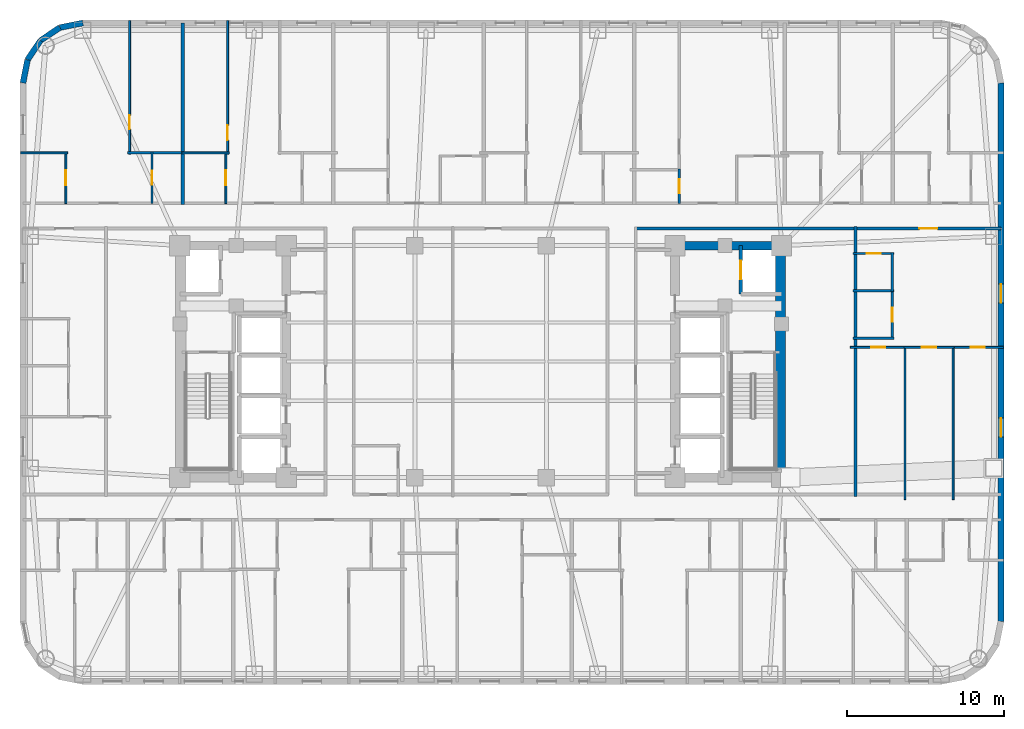
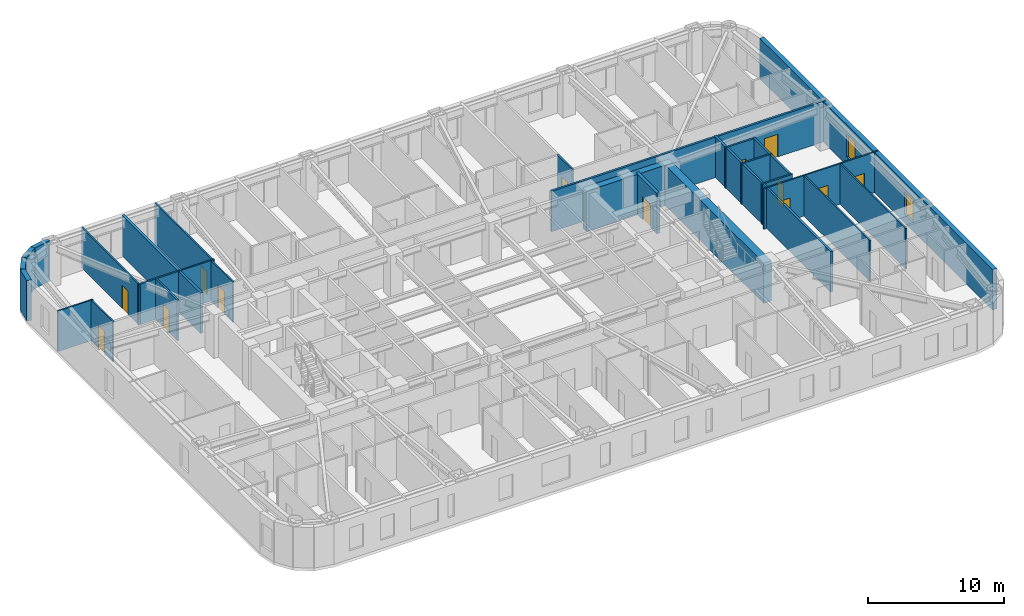
# One storey, part 7 of 11: 30 walls, 13 doors, 2 windows, 15 openings.
"""IFC4 building model written with IfcOpenShell, lengths in metres."""

from ifc_helpers import new_model, si_unit, direction, frame, frame_2d, origin, place, context, subcontext, project, spatial, rectangle, extrude, material, layer, layer_set, type_object, element, fill, save


model = new_model("IFC4")

# Units and contexts
model_context = context("Model", 3, precision=1e-05, world=origin(), true_north=direction((0.0, 1.0)))
body_context = subcontext(model_context, "Body", "Model", "MODEL_VIEW")
ifc_project = project(units=[si_unit("LENGTHUNIT", "METRE"), si_unit("AREAUNIT", "SQUARE_METRE"), si_unit("VOLUMEUNIT", "CUBIC_METRE"), si_unit("PLANEANGLEUNIT", "RADIAN"), si_unit("MASSUNIT", "GRAM", prefix="KILO")], contexts=[model_context])

# Site, building, storey
site_placement = place(None, origin())
site = spatial("IfcSite", under=ifc_project, at=site_placement, CompositionType="ELEMENT")
building_placement = place(site_placement, origin())
building = spatial("IfcBuilding", under=site, at=building_placement, Name="Voryun Gate Residences", CompositionType="ELEMENT")
storey_placement = place(building_placement, frame((0.0, 0.0, 97.5)))
storey = spatial("IfcBuildingStorey", under=building, at=storey_placement, Name="L23", CompositionType="ELEMENT", Elevation=97.5)

# Walls
ifc_material_1 = material(Name="Concrete C60/75", Category="concrete")
ifc_layer_1 = layer(ifc_material_1, 0.550048828125, Name="CW_CORE_550")
ifc_layer_set_1 = layer_set([ifc_layer_1], Name="Concrete C60/75")
wall_type_1 = type_object("IfcWallType", Name="CW_CORE_550", PredefinedType="SHEAR", material=ifc_layer_set_1)
wall_1_placement = place(storey_placement, frame((12.125, 7.39990234375, 0.0), z_axis=(0.0, 0.0, 1.0), x_axis=(1.0, 0.0, 0.0)))
element("IfcWall", 1, at=wall_1_placement, inside=storey, type_object=wall_type_1, Name="L23 Core shear wall CW-L23-EN", PredefinedType="SHEAR", context=body_context, shape_type="SweptSolid", body=[
    extrude(rectangle(XDim=7.35009765625, YDim=0.550048828125, at=frame_2d((3.675048828125, 0.0))), origin(), (0.0, 0.0, 1.0), 3.64990234375),
])
ifc_material_2 = material(Name="Concrete C60/75", Category="concrete")
ifc_layer_2 = layer(ifc_material_2, 0.64990234375, Name="CW_CORE_650")
ifc_layer_set_2 = layer_set([ifc_layer_2], Name="Concrete C60/75")
wall_type_2 = type_object("IfcWallType", Name="CW_CORE_650", PredefinedType="SHEAR", material=ifc_layer_set_2)
wall_2_placement = place(storey_placement, frame((19.14501953125, -7.39990234375, 0.0), z_axis=(0.0, 0.0, 1.0), x_axis=(0.0, 1.0, 0.0)))
element("IfcWall", 2, at=wall_2_placement, inside=storey, type_object=wall_type_2, Name="L23 Core shear wall CW-L23-EE", PredefinedType="SHEAR", context=body_context, shape_type="SweptSolid", body=[
    extrude(rectangle(XDim=14.7998046875, YDim=0.64990234375, at=frame_2d((7.39990234375, 0.0))), origin(), (0.0, 0.0, 1.0), 3.64990234375),
])

# Wall, opening, door
ifc_material_3 = material(Name="Gypsum acoustic fireboard")
ifc_layer_3 = layer(ifc_material_3, 0.179931640625, Name="W_CORR_RATED_180")
ifc_layer_set_3 = layer_set([ifc_layer_3], Name="Gypsum acoustic fireboard")
wall_type_3 = type_object("IfcWallType", Name="W_CORR_RATED_180", PredefinedType="PARTITIONING", material=ifc_layer_set_3)
wall_3_placement = place(storey_placement, frame((9.8798828125, 8.489990234375, 0.0), z_axis=(0.0, 0.0, 1.0), x_axis=(1.0, 0.0, 0.0)))
wall_3 = element("IfcWall", 3, at=wall_3_placement, inside=storey, type_object=wall_type_3, Name="Partition wall WP-L23-CWING-EN", PredefinedType="PARTITIONING", context=body_context, shape_type="SweptSolid", body=[
    extrude(rectangle(XDim=23.330078125, YDim=0.179931640625, at=frame_2d((11.6650390625, 0.0))), origin(), (0.0, 0.0, 1.0), 3.64990234375),
])
opening_1_placement = place(wall_3_placement, frame((18.11474609375, 0.0, 0.0)))
opening_1 = element("IfcOpeningElement", 4, at=opening_1_placement, cuts=wall_3, Name="Opening D-UNIT-1", PredefinedType="OPENING", context=body_context, shape_type="SweptSolid", body=[
    extrude(rectangle(XDim=1.14990234375, YDim=2.050048828125, at=frame_2d((0.574951171875, 1.02490234375))), frame((0.0, 0.099853515625, 0.0), z_axis=(0.0, -1.0, 0.0), x_axis=(1.0, 0.0, 0.0)), (0.0, 0.0, 1.0), 0.199951171875),
])
ifc_material_4 = material(Name="Armoured timber-clad fire door", Category="wood")
door_type_1 = type_object("IfcDoorType", Name="DR_UNIT_ENTRY_1150", OperationType="NOTDEFINED", PredefinedType="DOOR", material=ifc_material_4)
door_1_placement = place(opening_1_placement, origin())
door_1 = element("IfcDoor", 5, at=door_1_placement, inside=storey, type_object=door_type_1, Name="Door DR-L23-EE1N", OperationType="SINGLE_SWING_LEFT", OverallHeight=2.050048828125, OverallWidth=1.14990234375, PredefinedType="DOOR", context=body_context, shape_type="SweptSolid", body=[
    extrude(rectangle(XDim=1.14990234375, YDim=2.050048828125, at=frame_2d((0.574951171875, 1.02490234375))), frame((0.0, 0.02490234375, 0.0), z_axis=(0.0, -1.0, 0.0), x_axis=(1.0, 0.0, 0.0)), (0.0, 0.0, 1.0), 0.050048828125),
])
fill(opening_1, door_1)

# Walls
wall_4_placement = place(storey_placement, frame((23.919921875, -8.610107421875, 0.0), z_axis=(0.0, 0.0, 1.0), x_axis=(0.0, 1.0, 0.0)))
element("IfcWall", 6, at=wall_4_placement, inside=storey, type_object=wall_type_3, Name="Partition wall WP-L23-ECOR", PredefinedType="PARTITIONING", context=body_context, shape_type="SweptSolid", body=[
    extrude(rectangle(XDim=17.22021484375, YDim=0.179931640625, at=frame_2d((8.610107421875, 0.0))), origin(), (0.0, 0.0, 1.0), 3.64990234375),
])
ifc_material_5 = material(Name="Granite masonry", Category="masonry")
ifc_layer_4 = layer(ifc_material_5, 0.3798828125, Name="W_EXT_GRANITE_380")
ifc_layer_set_4 = layer_set([ifc_layer_4], Name="Granite masonry")
wall_type_4 = type_object("IfcWallType", Name="W_EXT_GRANITE_380", PredefinedType="ELEMENTEDWALL", material=ifc_layer_set_4)
wall_5_placement = place(storey_placement, frame((-29.2099609375, 17.78125, 0.0), z_axis=(0.0, 0.0, 1.0), x_axis=(0.195086038585, 0.980786132421, 0.0)))
element("IfcWall", 7, at=wall_5_placement, inside=storey, type_object=wall_type_4, Name="Exterior wall WEXT-L23-07", PredefinedType="ELEMENTEDWALL", context=body_context, shape_type="SweptSolid", body=[
    extrude(rectangle(XDim=1.504150390625, YDim=0.3798828125, at=frame_2d((0.751953125, 0.0))), origin(), (0.0, 0.0, 1.0), 3.64990234375),
])
wall_6_placement = place(storey_placement, frame((-28.91650390625, 19.256591796875, 0.0), z_axis=(0.0, 0.0, 1.0), x_axis=(0.555610286119, 0.831442848281, 0.0)))
element("IfcWall", 8, at=wall_6_placement, inside=storey, type_object=wall_type_4, Name="Exterior wall WEXT-L23-08", PredefinedType="ELEMENTEDWALL", context=body_context, shape_type="SweptSolid", body=[
    extrude(rectangle(XDim=1.485107421875, YDim=0.3798828125, at=frame_2d((0.74267578125, 0.0))), origin(), (0.0, 0.0, 1.0), 3.64990234375),
])
wall_7_placement = place(storey_placement, frame((-28.09130859375, 20.491455078125, 0.0), z_axis=(0.0, 0.0, 1.0), x_axis=(0.831468045563, 0.555572577804, 0.0)))
element("IfcWall", 9, at=wall_7_placement, inside=storey, type_object=wall_type_4, Name="Exterior wall WEXT-L23-09", PredefinedType="ELEMENTEDWALL", context=body_context, shape_type="SweptSolid", body=[
    extrude(rectangle(XDim=1.48486328125, YDim=0.3798828125, at=frame_2d((0.742431640625, 0.0))), origin(), (0.0, 0.0, 1.0), 3.64990234375),
])
wall_8_placement = place(storey_placement, frame((-26.856689453125, 21.31640625, 0.0), z_axis=(0.0, 0.0, 1.0), x_axis=(0.980755066645, 0.195242155415, 0.0)))
element("IfcWall", 10, at=wall_8_placement, inside=storey, type_object=wall_type_4, Name="Exterior wall WEXT-L23-10", PredefinedType="ELEMENTEDWALL", context=body_context, shape_type="SweptSolid", body=[
    extrude(rectangle(XDim=1.50439453125, YDim=0.3798828125, at=frame_2d((0.752197265625, 0.0))), origin(), (0.0, 0.0, 1.0), 3.64990234375),
])

# Wall, openings, windows
wall_9_placement = place(storey_placement, frame((33.2099609375, 17.78125, 0.0), z_axis=(0.0, 0.0, 1.0), x_axis=(0.0, -1.0, 0.0)))
wall_9 = element("IfcWall", 11, at=wall_9_placement, inside=storey, type_object=wall_type_4, Name="Exterior wall WEXT-L23-16", PredefinedType="ELEMENTEDWALL", context=body_context, shape_type="SweptSolid", body=[
    extrude(rectangle(XDim=34.362548828125, YDim=0.3798828125, at=frame_2d((17.18115234375, 0.0))), origin(), (0.0, 0.0, 1.0), 3.64990234375),
])
opening_2_placement = place(wall_9_placement, frame((12.836181640625, 0.0, 0.75)))
opening_2 = element("IfcOpeningElement", 12, at=opening_2_placement, cuts=wall_9, Name="Opening WN6", PredefinedType="OPENING", context=body_context, shape_type="SweptSolid", body=[
    extrude(rectangle(XDim=1.199951171875, YDim=2.050048828125, at=frame_2d((0.60009765625, 1.02490234375))), frame((0.0, 0.199951171875, 0.0), z_axis=(0.0, -1.0, 0.0), x_axis=(1.0, 0.0, 0.0)), (0.0, 0.0, 1.0), 0.39990234375),
])
opening_3_placement = place(wall_9_placement, frame((21.38623046875, 0.0, 0.75)))
opening_3 = element("IfcOpeningElement", 13, at=opening_3_placement, cuts=wall_9, Name="Opening WN6", PredefinedType="OPENING", context=body_context, shape_type="SweptSolid", body=[
    extrude(rectangle(XDim=1.199951171875, YDim=2.050048828125, at=frame_2d((0.60009765625, 1.02490234375))), frame((0.0, 0.199951171875, 0.0), z_axis=(0.0, -1.0, 0.0), x_axis=(1.0, 0.0, 0.0)), (0.0, 0.0, 1.0), 0.39990234375),
])
ifc_material_6 = material(Name="Laminated low-E glass", Category="glass")
window_type = type_object("IfcWindowType", Name="WN_POD_SLOT_1200", PartitioningType="SINGLE_PANEL", PredefinedType="WINDOW", material=ifc_material_6)
window_1_placement = place(opening_2_placement, origin())
window_1 = element("IfcWindow", 14, at=window_1_placement, inside=storey, type_object=window_type, Name="Window WN-L23-DWFIX-31", OverallHeight=2.050048828125, OverallWidth=1.199951171875, PartitioningType="SINGLE_PANEL", PredefinedType="WINDOW", context=body_context, shape_type="SweptSolid", body=[
    extrude(rectangle(XDim=1.199951171875, YDim=2.050048828125, at=frame_2d((0.60009765625, 1.02490234375))), frame((0.0, 0.030029296875, 0.0), z_axis=(0.0, -1.0, 0.0), x_axis=(1.0, 0.0, 0.0)), (0.0, 0.0, 1.0), 0.06005859375),
])
fill(opening_2, window_1)
window_2_placement = place(opening_3_placement, origin())
window_2 = element("IfcWindow", 15, at=window_2_placement, inside=storey, type_object=window_type, Name="Window WN-L23-DWFIX-32", OverallHeight=2.050048828125, OverallWidth=1.199951171875, PartitioningType="SINGLE_PANEL", PredefinedType="WINDOW", context=body_context, shape_type="SweptSolid", body=[
    extrude(rectangle(XDim=1.199951171875, YDim=2.050048828125, at=frame_2d((0.60009765625, 1.02490234375))), frame((0.0, 0.030029296875, 0.0), z_axis=(0.0, -1.0, 0.0), x_axis=(1.0, 0.0, 0.0)), (0.0, 0.0, 1.0), 0.06005859375),
])
fill(opening_3, window_2)

# Wall
ifc_material_7 = material(Name="Concrete C40/50", Category="concrete")
ifc_layer_5 = layer(ifc_material_7, 0.219970703125, Name="W_PARTY_ACOUSTIC_220")
ifc_layer_set_5 = layer_set([ifc_layer_5], Name="Concrete C40/50")
wall_type_5 = type_object("IfcWallType", Name="W_PARTY_ACOUSTIC_220", PredefinedType="PARTITIONING", material=ifc_layer_set_5)
wall_10_placement = place(storey_placement, frame((-19.0, 10.02001953125, 0.0), z_axis=(0.0, 0.0, 1.0), x_axis=(0.0, 1.0, 0.0)))
element("IfcWall", 16, at=wall_10_placement, inside=storey, type_object=wall_type_5, Name="Partition wall WP-L23-NPTY-1", PredefinedType="PARTITIONING", context=body_context, shape_type="SweptSolid", body=[
    extrude(rectangle(XDim=11.590087890625, YDim=0.219970703125, at=frame_2d((5.794921875, 0.0))), origin(), (0.0, 0.0, 1.0), 3.64990234375),
])

# Wall, opening, door
ifc_material_8 = material(Name="Concrete C50/60", Category="concrete")
ifc_layer_6 = layer(ifc_material_8, 0.25, Name="W_SHAFT_RC250")
ifc_layer_set_6 = layer_set([ifc_layer_6], Name="Concrete C50/60")
wall_type_6 = type_object("IfcWallType", Name="W_SHAFT_RC250", PredefinedType="SOLIDWALL", material=ifc_layer_set_6)
wall_11_placement = place(storey_placement, frame((16.60009765625, 7.39990234375, 0.0), z_axis=(0.0, 0.0, 1.0), x_axis=(0.0, -1.0, 0.0)))
wall_11 = element("IfcWall", 17, at=wall_11_placement, inside=storey, type_object=wall_type_6, Name="Lift shaft wall WSH-L23-EL-FF-E1-W", PredefinedType="SOLIDWALL", context=body_context, shape_type="SweptSolid", body=[
    extrude(rectangle(XDim=3.099853515625, YDim=0.25, at=frame_2d((1.5498046875, 0.0))), origin(), (0.0, 0.0, 1.0), 3.64990234375),
])
opening_4_placement = place(wall_11_placement, frame((0.949951171875, 0.0, 0.0)))
opening_4 = element("IfcOpeningElement", 18, at=opening_4_placement, cuts=wall_11, Name="Opening LD1", PredefinedType="OPENING", context=body_context, shape_type="SweptSolid", body=[
    extrude(rectangle(XDim=1.199951171875, YDim=2.050048828125, at=frame_2d((0.60009765625, 1.02490234375))), frame((0.0, 0.135009765625, 0.0), z_axis=(0.0, -1.0, 0.0), x_axis=(1.0, 0.0, 0.0)), (0.0, 0.0, 1.0), 0.27001953125),
])
ifc_material_9 = material(Name="Anodised aluminium", Category="aluminium")
door_type_2 = type_object("IfcDoorType", Name="DR_LD_FF_1200", OperationType="NOTDEFINED", PredefinedType="DOOR", material=ifc_material_9)
door_2_placement = place(opening_4_placement, origin())
door_2 = element("IfcDoor", 19, at=door_2_placement, inside=storey, type_object=door_type_2, Name="Lift EL-FF-E1 sliding landing door L23", OperationType="SLIDING_TO_LEFT", OverallHeight=2.050048828125, OverallWidth=1.199951171875, PredefinedType="DOOR", context=body_context, shape_type="SweptSolid", body=[
    extrude(rectangle(XDim=1.199951171875, YDim=2.050048828125, at=frame_2d((0.60009765625, 1.02490234375))), frame((0.0, 0.02490234375, 0.0), z_axis=(0.0, -1.0, 0.0), x_axis=(1.0, 0.0, 0.0)), (0.0, 0.0, 1.0), 0.050048828125),
])
fill(opening_4, door_2)

ifc_material_10 = material(Name="Gypsum acoustic partition")
ifc_layer_7 = layer(ifc_material_10, 0.125, Name="W_UNIT_PART_125")
ifc_layer_set_7 = layer_set([ifc_layer_7], Name="Gypsum acoustic partition")
wall_type_7 = type_object("IfcWallType", Name="W_UNIT_PART_125", PredefinedType="PARTITIONING", material=ifc_layer_set_7)
wall_12_placement = place(storey_placement, frame((-22.409912109375, 13.239990234375, 0.0), z_axis=(0.0, 0.0, 1.0), x_axis=(0.0, 1.0, 0.0)))
wall_12 = element("IfcWall", 20, at=wall_12_placement, inside=storey, type_object=wall_type_7, Name="Partition wall WP-L23-N1-OVR", PredefinedType="PARTITIONING", context=body_context, shape_type="SweptSolid", body=[
    extrude(rectangle(XDim=8.52001953125, YDim=0.125, at=frame_2d((4.260009765625, 0.0))), origin(), (0.0, 0.0, 1.0), 3.64990234375),
])
opening_5_placement = place(wall_12_placement, frame((1.5947265625, 0.0, 0.0)))
opening_5 = element("IfcOpeningElement", 21, at=opening_5_placement, cuts=wall_12, Name="Opening D-INT-2", PredefinedType="OPENING", context=body_context, shape_type="SweptSolid", body=[
    extrude(rectangle(XDim=0.89990234375, YDim=2.050048828125, at=frame_2d((0.449951171875, 1.02490234375))), frame((0.0, 0.072509765625, 0.0), z_axis=(0.0, -1.0, 0.0), x_axis=(1.0, 0.0, 0.0)), (0.0, 0.0, 1.0), 0.14501953125),
])
ifc_material_11 = material(Name="Architectural oak veneer")
door_type_3 = type_object("IfcDoorType", Name="DR_INT_BATH_900", OperationType="NOTDEFINED", PredefinedType="DOOR", material=ifc_material_11)
door_3_placement = place(opening_5_placement, origin())
door_3 = element("IfcDoor", 22, at=door_3_placement, inside=storey, type_object=door_type_3, Name="Door DR-L23-N1-DMB", OperationType="SINGLE_SWING_RIGHT", OverallHeight=2.050048828125, OverallWidth=0.89990234375, PredefinedType="DOOR", context=body_context, shape_type="SweptSolid", body=[
    extrude(rectangle(XDim=0.89990234375, YDim=2.050048828125, at=frame_2d((0.449951171875, 1.02490234375))), frame((0.0, 0.02490234375, 0.0), z_axis=(0.0, -1.0, 0.0), x_axis=(1.0, 0.0, 0.0)), (0.0, 0.0, 1.0), 0.050048828125),
])
fill(opening_5, door_3)

wall_13_placement = place(storey_placement, frame((-26.47509765625, 10.080078125, 0.0), z_axis=(0.0, 0.0, 1.0), x_axis=(0.0, 1.0, 0.0)))
wall_13 = element("IfcWall", 23, at=wall_13_placement, inside=storey, type_object=wall_type_7, Name="Partition wall WP-L23-N1-IVK", PredefinedType="PARTITIONING", context=body_context, shape_type="SweptSolid", body=[
    extrude(rectangle(XDim=3.31982421875, YDim=0.125, at=frame_2d((1.659912109375, 0.0))), origin(), (0.0, 0.0, 1.0), 3.64990234375),
])
opening_6_placement = place(wall_13_placement, frame((1.18505859375, 0.0, 0.0)))
opening_6 = element("IfcOpeningElement", 24, at=opening_6_placement, cuts=wall_13, Name="Opening D-INT-1", PredefinedType="OPENING", context=body_context, shape_type="SweptSolid", body=[
    extrude(rectangle(XDim=0.949951171875, YDim=2.050048828125, at=frame_2d((0.47509765625, 1.02490234375))), frame((0.0, 0.072509765625, 0.0), z_axis=(0.0, -1.0, 0.0), x_axis=(1.0, 0.0, 0.0)), (0.0, 0.0, 1.0), 0.14501953125),
])
ifc_material_12 = material(Name="Architectural oak veneer")
door_type_4 = type_object("IfcDoorType", Name="DR_INT_ROOM_950", OperationType="NOTDEFINED", PredefinedType="DOOR", material=ifc_material_12)
door_4_placement = place(opening_6_placement, origin())
door_4 = element("IfcDoor", 25, at=door_4_placement, inside=storey, type_object=door_type_4, Name="Door DR-L23-N1-DK", OperationType="SINGLE_SWING_LEFT", OverallHeight=2.050048828125, OverallWidth=0.949951171875, PredefinedType="DOOR", context=body_context, shape_type="SweptSolid", body=[
    extrude(rectangle(XDim=0.949951171875, YDim=2.050048828125, at=frame_2d((0.47509765625, 1.02490234375))), frame((0.0, 0.02490234375, 0.0), z_axis=(0.0, -1.0, 0.0), x_axis=(1.0, 0.0, 0.0)), (0.0, 0.0, 1.0), 0.050048828125),
])
fill(opening_6, door_4)

# Wall
wall_14_placement = place(storey_placement, frame((-29.360107421875, 13.320068359375, 0.0), z_axis=(0.0, 0.0, 1.0), x_axis=(1.0, 0.0, 0.0)))
element("IfcWall", 26, at=wall_14_placement, inside=storey, type_object=wall_type_7, Name="Partition wall WP-L23-N1-HZK", PredefinedType="PARTITIONING", context=body_context, shape_type="SweptSolid", body=[
    extrude(rectangle(XDim=3.005126953125, YDim=0.125, at=frame_2d((1.50244140625, 0.0))), origin(), (0.0, 0.0, 1.0), 3.64990234375),
])

# Wall, opening, door
wall_15_placement = place(storey_placement, frame((-16.153076171875, 13.239990234375, 0.0), z_axis=(0.0, 0.0, 1.0), x_axis=(0.0, 1.0, 0.0)))
wall_15 = element("IfcWall", 27, at=wall_15_placement, inside=storey, type_object=wall_type_7, Name="Partition wall WP-L23-N2-OVL", PredefinedType="PARTITIONING", context=body_context, shape_type="SweptSolid", body=[
    extrude(rectangle(XDim=8.52001953125, YDim=0.125, at=frame_2d((4.260009765625, 0.0))), origin(), (0.0, 0.0, 1.0), 3.64990234375),
])
opening_7_placement = place(wall_15_placement, frame((0.88818359375, 0.0, 0.0)))
opening_7 = element("IfcOpeningElement", 28, at=opening_7_placement, cuts=wall_15, Name="Opening D-INT-1", PredefinedType="OPENING", context=body_context, shape_type="SweptSolid", body=[
    extrude(rectangle(XDim=0.949951171875, YDim=2.050048828125, at=frame_2d((0.47509765625, 1.02490234375))), frame((0.0, 0.072509765625, 0.0), z_axis=(0.0, -1.0, 0.0), x_axis=(1.0, 0.0, 0.0)), (0.0, 0.0, 1.0), 0.14501953125),
])
door_5_placement = place(opening_7_placement, origin())
door_5 = element("IfcDoor", 29, at=door_5_placement, inside=storey, type_object=door_type_4, Name="Door DR-L23-N2-DB2", OperationType="SINGLE_SWING_LEFT", OverallHeight=2.050048828125, OverallWidth=0.949951171875, PredefinedType="DOOR", context=body_context, shape_type="SweptSolid", body=[
    extrude(rectangle(XDim=0.949951171875, YDim=2.050048828125, at=frame_2d((0.47509765625, 1.02490234375))), frame((0.0, 0.02490234375, 0.0), z_axis=(0.0, -1.0, 0.0), x_axis=(1.0, 0.0, 0.0)), (0.0, 0.0, 1.0), 0.050048828125),
])
fill(opening_7, door_5)

wall_16_placement = place(storey_placement, frame((-16.26708984375, 10.080078125, 0.0), z_axis=(0.0, 0.0, 1.0), x_axis=(0.0, 1.0, 0.0)))
wall_16 = element("IfcWall", 30, at=wall_16_placement, inside=storey, type_object=wall_type_7, Name="Partition wall WP-L23-N2-IVK", PredefinedType="PARTITIONING", context=body_context, shape_type="SweptSolid", body=[
    extrude(rectangle(XDim=3.31982421875, YDim=0.125, at=frame_2d((1.659912109375, 0.0))), origin(), (0.0, 0.0, 1.0), 3.64990234375),
])
opening_8_placement = place(wall_16_placement, frame((1.18505859375, 0.0, 0.0)))
opening_8 = element("IfcOpeningElement", 31, at=opening_8_placement, cuts=wall_16, Name="Opening D-INT-1", PredefinedType="OPENING", context=body_context, shape_type="SweptSolid", body=[
    extrude(rectangle(XDim=0.949951171875, YDim=2.050048828125, at=frame_2d((0.47509765625, 1.02490234375))), frame((0.0, 0.072509765625, 0.0), z_axis=(0.0, -1.0, 0.0), x_axis=(1.0, 0.0, 0.0)), (0.0, 0.0, 1.0), 0.14501953125),
])
door_6_placement = place(opening_8_placement, origin())
door_6 = element("IfcDoor", 32, at=door_6_placement, inside=storey, type_object=door_type_4, Name="Door DR-L23-N2-DK", OperationType="SINGLE_SWING_LEFT", OverallHeight=2.050048828125, OverallWidth=0.949951171875, PredefinedType="DOOR", context=body_context, shape_type="SweptSolid", body=[
    extrude(rectangle(XDim=0.949951171875, YDim=2.050048828125, at=frame_2d((0.47509765625, 1.02490234375))), frame((0.0, 0.02490234375, 0.0), z_axis=(0.0, -1.0, 0.0), x_axis=(1.0, 0.0, 0.0)), (0.0, 0.0, 1.0), 0.050048828125),
])
fill(opening_8, door_6)

# Wall
wall_17_placement = place(storey_placement, frame((-19.074951171875, 13.320068359375, 0.0), z_axis=(0.0, 0.0, 1.0), x_axis=(1.0, 0.0, 0.0)))
element("IfcWall", 33, at=wall_17_placement, inside=storey, type_object=wall_type_7, Name="Partition wall WP-L23-N2-HZK", PredefinedType="PARTITIONING", context=body_context, shape_type="SweptSolid", body=[
    extrude(rectangle(XDim=3.0419921875, YDim=0.125, at=frame_2d((1.52099609375, 0.0))), origin(), (0.0, 0.0, 1.0), 3.64990234375),
])

# Wall, opening, door
wall_18_placement = place(storey_placement, frame((23.60009765625, 0.909912109375, 0.0), z_axis=(0.0, 0.0, 1.0), x_axis=(1.0, 0.0, 0.0)))
wall_18 = element("IfcWall", 34, at=wall_18_placement, inside=storey, type_object=wall_type_7, Name="Partition wall WP-L23-E1-HZMB1", PredefinedType="PARTITIONING", context=body_context, shape_type="SweptSolid", body=[
    extrude(rectangle(XDim=3.54345703125, YDim=0.125, at=frame_2d((1.771728515625, 0.0))), origin(), (0.0, 0.0, 1.0), 3.64990234375),
])
opening_9_placement = place(wall_18_placement, frame((1.33056640625, 0.0, 0.0)))
opening_9 = element("IfcOpeningElement", 35, at=opening_9_placement, cuts=wall_18, Name="Opening D-INT-2", PredefinedType="OPENING", context=body_context, shape_type="SweptSolid", body=[
    extrude(rectangle(XDim=0.89990234375, YDim=2.050048828125, at=frame_2d((0.449951171875, 1.02490234375))), frame((0.0, 0.072509765625, 0.0), z_axis=(0.0, -1.0, 0.0), x_axis=(1.0, 0.0, 0.0)), (0.0, 0.0, 1.0), 0.14501953125),
])
door_7_placement = place(opening_9_placement, origin())
door_7 = element("IfcDoor", 36, at=door_7_placement, inside=storey, type_object=door_type_3, Name="Door DR-L23-E1-DMB", OperationType="SINGLE_SWING_LEFT", OverallHeight=2.050048828125, OverallWidth=0.89990234375, PredefinedType="DOOR", context=body_context, shape_type="SweptSolid", body=[
    extrude(rectangle(XDim=0.89990234375, YDim=2.050048828125, at=frame_2d((0.449951171875, 1.02490234375))), frame((0.0, 0.02490234375, 0.0), z_axis=(0.0, -1.0, 0.0), x_axis=(1.0, 0.0, 0.0)), (0.0, 0.0, 1.0), 0.050048828125),
])
fill(opening_9, door_7)

wall_19_placement = place(storey_placement, frame((27.0185546875, 0.909912109375, 0.0), z_axis=(0.0, 0.0, 1.0), x_axis=(1.0, 0.0, 0.0)))
wall_19 = element("IfcWall", 37, at=wall_19_placement, inside=storey, type_object=wall_type_7, Name="Partition wall WP-L23-E1-HZMB2", PredefinedType="PARTITIONING", context=body_context, shape_type="SweptSolid", body=[
    extrude(rectangle(XDim=3.19287109375, YDim=0.125, at=frame_2d((1.596435546875, 0.0))), origin(), (0.0, 0.0, 1.0), 3.64990234375),
])
opening_10_placement = place(wall_19_placement, frame((1.146484375, 0.0, 0.0)))
opening_10 = element("IfcOpeningElement", 38, at=opening_10_placement, cuts=wall_19, Name="Opening D-INT-2", PredefinedType="OPENING", context=body_context, shape_type="SweptSolid", body=[
    extrude(rectangle(XDim=0.89990234375, YDim=2.050048828125, at=frame_2d((0.449951171875, 1.02490234375))), frame((0.0, 0.072509765625, 0.0), z_axis=(0.0, -1.0, 0.0), x_axis=(1.0, 0.0, 0.0)), (0.0, 0.0, 1.0), 0.14501953125),
])
door_8_placement = place(opening_10_placement, origin())
door_8 = element("IfcDoor", 39, at=door_8_placement, inside=storey, type_object=door_type_3, Name="Door DR-L23-E1-DBD2", OperationType="SINGLE_SWING_RIGHT", OverallHeight=2.050048828125, OverallWidth=0.89990234375, PredefinedType="DOOR", context=body_context, shape_type="SweptSolid", body=[
    extrude(rectangle(XDim=0.89990234375, YDim=2.050048828125, at=frame_2d((0.449951171875, 1.02490234375))), frame((0.0, 0.02490234375, 0.0), z_axis=(0.0, -1.0, 0.0), x_axis=(1.0, 0.0, 0.0)), (0.0, 0.0, 1.0), 0.050048828125),
])
fill(opening_10, door_8)

wall_20_placement = place(storey_placement, frame((30.08642578125, 0.909912109375, 0.0), z_axis=(0.0, 0.0, 1.0), x_axis=(1.0, 0.0, 0.0)))
wall_20 = element("IfcWall", 40, at=wall_20_placement, inside=storey, type_object=wall_type_7, Name="Partition wall WP-L23-E1-HZMB3", PredefinedType="PARTITIONING", context=body_context, shape_type="SweptSolid", body=[
    extrude(rectangle(XDim=3.273681640625, YDim=0.125, at=frame_2d((1.63671875, 0.0))), origin(), (0.0, 0.0, 1.0), 3.64990234375),
])
opening_11_placement = place(wall_20_placement, frame((1.177978515625, 0.0, 0.0)))
opening_11 = element("IfcOpeningElement", 41, at=opening_11_placement, cuts=wall_20, Name="Opening D-INT-2", PredefinedType="OPENING", context=body_context, shape_type="SweptSolid", body=[
    extrude(rectangle(XDim=0.89990234375, YDim=2.050048828125, at=frame_2d((0.449951171875, 1.02490234375))), frame((0.0, 0.072509765625, 0.0), z_axis=(0.0, -1.0, 0.0), x_axis=(1.0, 0.0, 0.0)), (0.0, 0.0, 1.0), 0.14501953125),
])
door_9_placement = place(opening_11_placement, origin())
door_9 = element("IfcDoor", 42, at=door_9_placement, inside=storey, type_object=door_type_3, Name="Door DR-L23-E1-DBD3", OperationType="SINGLE_SWING_LEFT", OverallHeight=2.050048828125, OverallWidth=0.89990234375, PredefinedType="DOOR", context=body_context, shape_type="SweptSolid", body=[
    extrude(rectangle(XDim=0.89990234375, YDim=2.050048828125, at=frame_2d((0.449951171875, 1.02490234375))), frame((0.0, 0.02490234375, 0.0), z_axis=(0.0, -1.0, 0.0), x_axis=(1.0, 0.0, 0.0)), (0.0, 0.0, 1.0), 0.050048828125),
])
fill(opening_11, door_9)

# Walls
for number, where, z_axis, x_axis, name in (
    (43, (30.14892578125, -8.81005859375, 0.0), (0.0, 0.0, 1.0), (0.0, 1.0, 0.0), "Partition wall WP-L23-E1-VMB2"),
    (44, (27.0810546875, -8.81005859375, 0.0), (0.0, 0.0, 1.0), (0.0, 1.0, 0.0), "Partition wall WP-L23-E1-VMB"),
):
    element("IfcWall", number, at=place(storey_placement, frame(where, z_axis=z_axis, x_axis=x_axis)), inside=storey, type_object=wall_type_7, Name=name, PredefinedType="PARTITIONING", context=body_context, shape_type="SweptSolid", body=[
        extrude(rectangle(XDim=9.780029296875, YDim=0.125, at=frame_2d((4.89013671875, 0.0))), origin(), (0.0, 0.0, 1.0), 3.64990234375),
    ])
ifc_material_13 = material(Name="Gypsum moisture-resistant partition")
ifc_layer_8 = layer(ifc_material_13, 0.14990234375, Name="W_WET_PLUMB_150")
ifc_layer_set_8 = layer_set([ifc_layer_8], Name="Gypsum moisture-resistant partition")
wall_type_8 = type_object("IfcWallType", Name="W_WET_PLUMB_150", PredefinedType="PLUMBINGWALL", material=ifc_layer_set_8)
wall_21_placement = place(storey_placement, frame((-22.530029296875, 13.320068359375, 0.0), z_axis=(0.0, 0.0, 1.0), x_axis=(1.0, 0.0, 0.0)))
element("IfcWall", 45, at=wall_21_placement, inside=storey, type_object=wall_type_8, Name="Partition wall WP-L23-N1-HZB", PredefinedType="PLUMBINGWALL", context=body_context, shape_type="SweptSolid", body=[
    extrude(rectangle(XDim=3.60498046875, YDim=0.14990234375, at=frame_2d((1.802490234375, 0.0))), origin(), (0.0, 0.0, 1.0), 3.64990234375),
])

# Wall, opening, door
wall_22_placement = place(storey_placement, frame((-20.97998046875, 10.080078125, 0.0), z_axis=(0.0, 0.0, 1.0), x_axis=(0.0, 1.0, 0.0)))
wall_22 = element("IfcWall", 46, at=wall_22_placement, inside=storey, type_object=wall_type_8, Name="Partition wall WP-L23-N1-IVB", PredefinedType="PLUMBINGWALL", context=body_context, shape_type="SweptSolid", body=[
    extrude(rectangle(XDim=3.31982421875, YDim=0.14990234375, at=frame_2d((1.659912109375, 0.0))), origin(), (0.0, 0.0, 1.0), 3.64990234375),
])
opening_12_placement = place(wall_22_placement, frame((1.2099609375, 0.0, 0.0)))
opening_12 = element("IfcOpeningElement", 47, at=opening_12_placement, cuts=wall_22, Name="Opening D-INT-2", PredefinedType="OPENING", context=body_context, shape_type="SweptSolid", body=[
    extrude(rectangle(XDim=0.89990234375, YDim=2.050048828125, at=frame_2d((0.449951171875, 1.02490234375))), frame((0.0, 0.0849609375, 0.0), z_axis=(0.0, -1.0, 0.0), x_axis=(1.0, 0.0, 0.0)), (0.0, 0.0, 1.0), 0.169921875),
])
door_10_placement = place(opening_12_placement, origin())
door_10 = element("IfcDoor", 48, at=door_10_placement, inside=storey, type_object=door_type_3, Name="Door DR-L23-N1-DB", OperationType="SINGLE_SWING_RIGHT", OverallHeight=2.050048828125, OverallWidth=0.89990234375, PredefinedType="DOOR", context=body_context, shape_type="SweptSolid", body=[
    extrude(rectangle(XDim=0.89990234375, YDim=2.050048828125, at=frame_2d((0.449951171875, 1.02490234375))), frame((0.0, 0.02490234375, 0.0), z_axis=(0.0, -1.0, 0.0), x_axis=(1.0, 0.0, 0.0)), (0.0, 0.0, 1.0), 0.050048828125),
])
fill(opening_12, door_10)

wall_23_placement = place(storey_placement, frame((12.666015625, 10.080078125, 0.0), z_axis=(0.0, 0.0, 1.0), x_axis=(0.0, 1.0, 0.0)))
wall_23 = element("IfcWall", 49, at=wall_23_placement, inside=storey, type_object=wall_type_8, Name="Partition wall WP-L23-N5-LVX1", PredefinedType="PLUMBINGWALL", context=body_context, shape_type="SweptSolid", body=[
    extrude(rectangle(XDim=2.199951171875, YDim=0.14990234375, at=frame_2d((1.10009765625, 0.0))), origin(), (0.0, 0.0, 1.0), 3.64990234375),
])
opening_13_placement = place(wall_23_placement, frame((0.64990234375, 0.0, 0.0)))
opening_13 = element("IfcOpeningElement", 50, at=opening_13_placement, cuts=wall_23, Name="Opening D-INT-2", PredefinedType="OPENING", context=body_context, shape_type="SweptSolid", body=[
    extrude(rectangle(XDim=0.89990234375, YDim=2.050048828125, at=frame_2d((0.449951171875, 1.02490234375))), frame((0.0, 0.0849609375, 0.0), z_axis=(0.0, -1.0, 0.0), x_axis=(1.0, 0.0, 0.0)), (0.0, 0.0, 1.0), 0.169921875),
])
door_11_placement = place(opening_13_placement, origin())
door_11 = element("IfcDoor", 51, at=door_11_placement, inside=storey, type_object=door_type_3, Name="Door DR-L23-N5-DB", OperationType="SINGLE_SWING_LEFT", OverallHeight=2.050048828125, OverallWidth=0.89990234375, PredefinedType="DOOR", context=body_context, shape_type="SweptSolid", body=[
    extrude(rectangle(XDim=0.89990234375, YDim=2.050048828125, at=frame_2d((0.449951171875, 1.02490234375))), frame((0.0, 0.02490234375, 0.0), z_axis=(0.0, -1.0, 0.0), x_axis=(1.0, 0.0, 0.0)), (0.0, 0.0, 1.0), 0.050048828125),
])
fill(opening_13, door_11)

wall_24_placement = place(storey_placement, frame((23.77001953125, 6.89990234375, 0.0), z_axis=(0.0, 0.0, 1.0), x_axis=(1.0, 0.0, 0.0)))
wall_24 = element("IfcWall", 52, at=wall_24_placement, inside=storey, type_object=wall_type_8, Name="Partition wall WP-L23-E1-IBT", PredefinedType="PLUMBINGWALL", context=body_context, shape_type="SweptSolid", body=[
    extrude(rectangle(XDim=2.619873046875, YDim=0.14990234375, at=frame_2d((1.31005859375, 0.0))), origin(), (0.0, 0.0, 1.0), 3.64990234375),
])
opening_14_placement = place(wall_24_placement, frame((0.860107421875, 0.0, 0.0)))
opening_14 = element("IfcOpeningElement", 53, at=opening_14_placement, cuts=wall_24, Name="Opening D-INT-2", PredefinedType="OPENING", context=body_context, shape_type="SweptSolid", body=[
    extrude(rectangle(XDim=0.89990234375, YDim=2.050048828125, at=frame_2d((0.449951171875, 1.02490234375))), frame((0.0, 0.0849609375, 0.0), z_axis=(0.0, -1.0, 0.0), x_axis=(1.0, 0.0, 0.0)), (0.0, 0.0, 1.0), 0.169921875),
])
door_12_placement = place(opening_14_placement, origin())
door_12 = element("IfcDoor", 54, at=door_12_placement, inside=storey, type_object=door_type_3, Name="Door DR-L23-E1-DK", OperationType="SINGLE_SWING_LEFT", OverallHeight=2.050048828125, OverallWidth=0.89990234375, PredefinedType="DOOR", context=body_context, shape_type="SweptSolid", body=[
    extrude(rectangle(XDim=0.89990234375, YDim=2.050048828125, at=frame_2d((0.449951171875, 1.02490234375))), frame((0.0, 0.02490234375, 0.0), z_axis=(0.0, -1.0, 0.0), x_axis=(1.0, 0.0, 0.0)), (0.0, 0.0, 1.0), 0.050048828125),
])
fill(opening_14, door_12)

# Walls
for number, where, z_axis, x_axis, name in (
    (55, (23.77001953125, 4.52001953125, 0.0), (0.0, 0.0, 1.0), (1.0, 0.0, 0.0), "Partition wall WP-L23-E1-IKB"),
    (56, (23.77001953125, 1.5, 0.0), (0.0, 0.0, 1.0), (1.0, 0.0, 0.0), "Partition wall WP-L23-E1-IBB"),
):
    element("IfcWall", number, at=place(storey_placement, frame(where, z_axis=z_axis, x_axis=x_axis)), inside=storey, type_object=wall_type_8, Name=name, PredefinedType="PLUMBINGWALL", context=body_context, shape_type="SweptSolid", body=[
        extrude(rectangle(XDim=2.619873046875, YDim=0.14990234375, at=frame_2d((1.31005859375, 0.0))), origin(), (0.0, 0.0, 1.0), 3.64990234375),
    ])

# Wall, opening, door
wall_25_placement = place(storey_placement, frame((26.27001953125, 1.43994140625, 0.0), z_axis=(0.0, 0.0, 1.0), x_axis=(0.0, 1.0, 0.0)))
wall_25 = element("IfcWall", 57, at=wall_25_placement, inside=storey, type_object=wall_type_8, Name="Partition wall WP-L23-E1-VTSK1", PredefinedType="PLUMBINGWALL", context=body_context, shape_type="SweptSolid", body=[
    extrude(rectangle(XDim=3.1201171875, YDim=0.14990234375, at=frame_2d((1.56005859375, 0.0))), origin(), (0.0, 0.0, 1.0), 3.64990234375),
])
opening_15_placement = place(wall_25_placement, frame((1.110107421875, 0.0, 0.0)))
opening_15 = element("IfcOpeningElement", 58, at=opening_15_placement, cuts=wall_25, Name="Opening D-INT-2", PredefinedType="OPENING", context=body_context, shape_type="SweptSolid", body=[
    extrude(rectangle(XDim=0.89990234375, YDim=2.050048828125, at=frame_2d((0.449951171875, 1.02490234375))), frame((0.0, 0.0849609375, 0.0), z_axis=(0.0, -1.0, 0.0), x_axis=(1.0, 0.0, 0.0)), (0.0, 0.0, 1.0), 0.169921875),
])
door_13_placement = place(opening_15_placement, origin())
door_13 = element("IfcDoor", 59, at=door_13_placement, inside=storey, type_object=door_type_3, Name="Door DR-L23-E1-DB", OperationType="SINGLE_SWING_RIGHT", OverallHeight=2.050048828125, OverallWidth=0.89990234375, PredefinedType="DOOR", context=body_context, shape_type="SweptSolid", body=[
    extrude(rectangle(XDim=0.89990234375, YDim=2.050048828125, at=frame_2d((0.449951171875, 1.02490234375))), frame((0.0, 0.02490234375, 0.0), z_axis=(0.0, -1.0, 0.0), x_axis=(1.0, 0.0, 0.0)), (0.0, 0.0, 1.0), 0.050048828125),
])
fill(opening_15, door_13)

# Wall
wall_26_placement = place(storey_placement, frame((26.27001953125, 4.47998046875, 0.0), z_axis=(0.0, 0.0, 1.0), x_axis=(0.0, 1.0, 0.0)))
element("IfcWall", 60, at=wall_26_placement, inside=storey, type_object=wall_type_8, Name="Partition wall WP-L23-E1-VTSK2", PredefinedType="PLUMBINGWALL", context=body_context, shape_type="SweptSolid", body=[
    extrude(rectangle(XDim=2.47998046875, YDim=0.14990234375, at=frame_2d((1.239990234375, 0.0))), origin(), (0.0, 0.0, 1.0), 3.64990234375),
])

save(model, "model.ifc")
